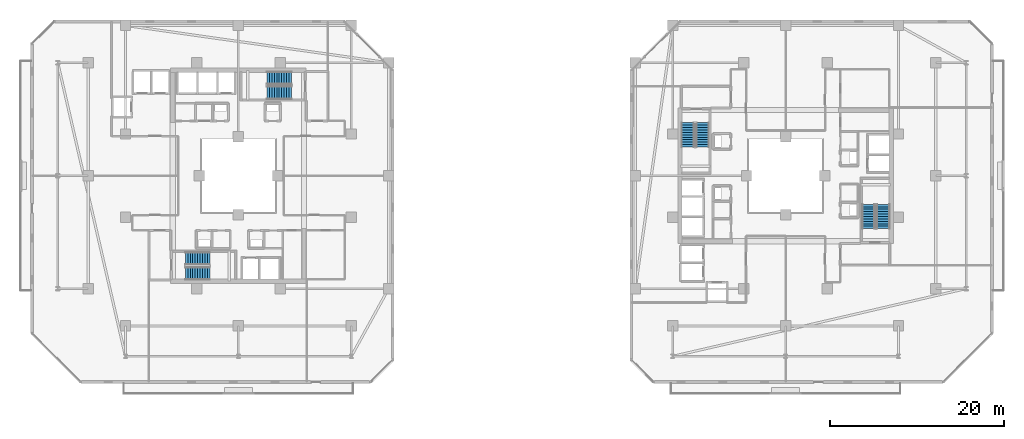
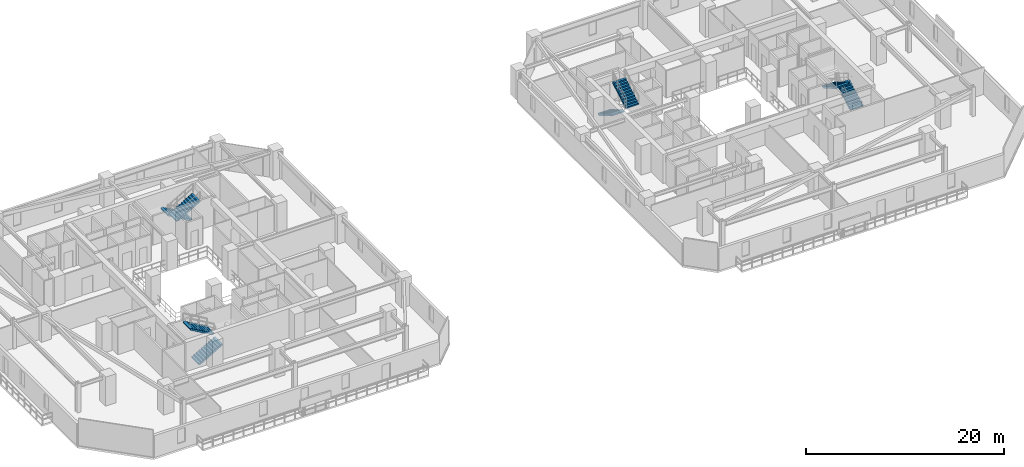
# One storey, part 24 of 31: 8 stair flights, 4 elements without a shape of their own.
"""IFC4 building model written with IfcOpenShell, lengths in metres."""

import ifcopenshell
import ifcopenshell.guid

model = None  # the IFC model being written
_history = None  # IfcOwnerHistory: only IFC2X3 demands one
_inside = {}  # id of a spatial element -> (the spatial element, [elements in it])
_under = {}  # id of a project, library or spatial element -> (it, [spatial elements below it])
_declared = {}  # id of a project -> (the project, [libraries it declares])
_typed = {}  # id of a type object -> (the type object, [elements of that type])
_made_of = {}  # id of a material, layer set ... -> (it, [elements and type objects made of it])


def new_model(schema):
    """Start an empty IFC model of exactly this schema.

    Asked for "IFC4X3", IfcOpenShell would pick the latest addendum, in which some entities
    have other attributes; the version numbers below select the first issue.
    IFC2X3 requires an IfcOwnerHistory on every rooted entity: one is made here for all.
    """
    global model, _history
    if schema == "IFC4X3":
        model = ifcopenshell.file(schema_version=(4, 3, 0, 0))
    else:
        model = ifcopenshell.file(schema=schema)
    _inside.clear()
    _under.clear()
    _declared.clear()
    _typed.clear()
    _made_of.clear()
    _history = None
    if model.schema == "IFC2X3":
        org = make("IfcOrganization", Name="unknown")
        user = make(
            "IfcPersonAndOrganization",
            ThePerson=make("IfcPerson", FamilyName="unknown"),
            TheOrganization=org,
        )
        app = make(
            "IfcApplication",
            ApplicationDeveloper=org,
            Version="unknown",
            ApplicationFullName="unknown",
            ApplicationIdentifier="unknown",
        )
        _history = make(
            "IfcOwnerHistory",
            OwningUser=user,
            OwningApplication=app,
            ChangeAction="ADDED",
            CreationDate=0,
        )
    return model


def make(cls, **values):
    """One entity of the class cls with the attributes given. An attribute that is None is left unset."""
    return model.create_entity(
        cls, **{name: value for name, value in values.items() if value is not None}
    )


def rooted(cls, **values):
    """An entity with a GlobalId (a new one), such as an element, a storey or a relation."""
    return make(cls, GlobalId=ifcopenshell.guid.new(), OwnerHistory=_history, **values)


def si_unit(unit_type, name, prefix=None):
    """IfcSIUnit, for example si_unit("LENGTHUNIT", "METRE", prefix="MILLI")."""
    return make("IfcSIUnit", UnitType=unit_type, Prefix=prefix, Name=name)


def assignment(units):
    """IfcUnitAssignment: the units of a project."""
    return None if units is None else make("IfcUnitAssignment", Units=units)


def point(xyz):
    """IfcCartesianPoint."""
    return None if xyz is None else make("IfcCartesianPoint", Coordinates=xyz)


def direction(xyz):
    """IfcDirection."""
    return None if xyz is None else make("IfcDirection", DirectionRatios=xyz)


def frame(location, z_axis=None, x_axis=None):
    """IfcAxis2Placement3D, a coordinate frame: its origin and axes. An axis left out is left unset."""
    return make(
        "IfcAxis2Placement3D",
        Location=point(location),
        Axis=direction(z_axis),
        RefDirection=direction(x_axis),
    )


def origin():
    """The frame at (0, 0, 0) with its axes left unset."""
    return frame((0.0, 0.0, 0.0))


def place(relative_to, where):
    """IfcLocalPlacement: puts the frame where relative to a parent placement (None: the world)."""
    return make(
        "IfcLocalPlacement", PlacementRelTo=relative_to, RelativePlacement=where
    )


def context(
    kind, dimensions, precision=None, world=None, true_north=None, identifier=None
):
    """IfcGeometricRepresentationContext, for example the 3D "Model" context."""
    return make(
        "IfcGeometricRepresentationContext",
        ContextIdentifier=identifier,
        ContextType=kind,
        CoordinateSpaceDimension=dimensions,
        Precision=precision,
        WorldCoordinateSystem=world,
        TrueNorth=true_north,
    )


def subcontext(parent, identifier, kind, view, scale=None):
    """IfcGeometricRepresentationSubContext, for example "Body" below "Model"."""
    return make(
        "IfcGeometricRepresentationSubContext",
        ContextIdentifier=identifier,
        ContextType=kind,
        ParentContext=parent,
        TargetScale=scale,
        TargetView=view,
    )


def project(units=None, contexts=None):
    """IfcProject with its units and contexts."""
    return rooted(
        "IfcProject",
        Name="project",
        RepresentationContexts=contexts,
        UnitsInContext=assignment(units),
    )


def spatial(cls, under=None, at=None, **own):
    """A site, building, storey or space (cls), placed at a placement, below another one or the project."""
    s = rooted(cls, ObjectPlacement=at, **own)
    if under is not None:
        _under.setdefault(under.id(), (under, []))[1].append(s)
    return s


def polyline(points):
    """IfcPolyline through the points."""
    return make("IfcPolyline", Points=[point(p) for p in points])


def outline(outer, holes=None, kind="AREA"):
    """IfcArbitraryClosedProfileDef: a profile drawn as a closed curve; with holes, ...WithVoids."""
    if holes is None:
        return make("IfcArbitraryClosedProfileDef", ProfileType=kind, OuterCurve=outer)
    return make(
        "IfcArbitraryProfileDefWithVoids",
        ProfileType=kind,
        OuterCurve=outer,
        InnerCurves=holes,
    )


def extrude(swept, where, along, depth):
    """IfcExtrudedAreaSolid: the profile swept, set in the frame where, extruded along a direction by depth."""
    return make(
        "IfcExtrudedAreaSolid",
        SweptArea=swept,
        Position=where,
        ExtrudedDirection=direction(along),
        Depth=depth,
    )


def shape(context_of_items, identifier, shape_type, items):
    """IfcShapeRepresentation: the items that make up one representation, for example the "Body"."""
    return make(
        "IfcShapeRepresentation",
        ContextOfItems=context_of_items,
        RepresentationIdentifier=identifier,
        RepresentationType=shape_type,
        Items=items,
    )


def material(Name=None, Category=None):
    """IfcMaterial."""
    return make("IfcMaterial", Name=Name, Category=Category)


def made_of(thing, what):
    """Note that an element or type object is made of a material, layer set ...; save() writes the relation."""
    if what is not None:
        _made_of.setdefault(what.id(), (what, []))[1].append(thing)
    return thing


def type_object(cls, material=None, **own):
    """A type object (cls), such as IfcWallType, which elements share."""
    return made_of(rooted(cls, **own), material)


def element(
    cls,
    number,
    at=None,
    inside=None,
    cuts=None,
    type_object=None,
    material=None,
    context=None,
    identifier="Body",
    shape_type=None,
    held_by="IfcProductDefinitionShape",
    body=None,
    shapes=None,
    **own,
):
    """One element of the class cls, such as IfcWall. Its Tag is "e" and its number.

    at: its placement. inside: the storey or other place that contains it. cuts: it is an
    opening in that element (IfcRelVoidsElement). A single representation is given by context,
    identifier, shape_type and body (its items); several are given by shapes. held_by: the class
    of the entity that holds the representations. save() writes the other relations.
    """
    e = rooted(cls, Tag="e%d" % number, ObjectPlacement=at, **own)
    if body is not None:
        shapes = [shape(context, identifier, shape_type, body)]
    if shapes is not None:
        e.Representation = make(held_by, Representations=shapes)
    if inside is not None:
        _inside.setdefault(inside.id(), (inside, []))[1].append(e)
    if cuts is not None:
        rooted(
            "IfcRelVoidsElement", RelatingBuildingElement=cuts, RelatedOpeningElement=e
        )
    if type_object is not None:
        _typed.setdefault(type_object.id(), (type_object, []))[1].append(e)
    return made_of(e, material)


def aggregate(whole, parts):
    """IfcRelAggregates: a whole, such as a stair, and the parts it consists of."""
    return rooted("IfcRelAggregates", RelatingObject=whole, RelatedObjects=parts)


def save(model, path):
    """Write the relations noted so far, then the file.

    IfcRelAggregates (storeys below a building ...), IfcRelContainedInSpatialStructure (elements
    in a storey), IfcRelDefinesByType, IfcRelAssociatesMaterial and IfcRelDeclares: one each for
    every whole, place, type object, material and project.
    """
    for whole, parts in _under.values():
        aggregate(whole, parts)
    for where, things in _inside.values():
        rooted(
            "IfcRelContainedInSpatialStructure",
            RelatedElements=things,
            RelatingStructure=where,
        )
    for kind, things in _typed.values():
        rooted("IfcRelDefinesByType", RelatedObjects=things, RelatingType=kind)
    for what, things in _made_of.values():
        rooted("IfcRelAssociatesMaterial", RelatedObjects=things, RelatingMaterial=what)
    for by, libraries in _declared.values():
        rooted("IfcRelDeclares", RelatingContext=by, RelatedDefinitions=libraries)
    model.write(path)


model = new_model("IFC4")

# Units and contexts
model_context = context("Model", 3, precision=1e-05, world=origin(), true_north=direction((0.0, 1.0)))
body_context = subcontext(model_context, "Body", "Model", "MODEL_VIEW")
ifc_project = project(units=[si_unit("LENGTHUNIT", "METRE"), si_unit("AREAUNIT", "SQUARE_METRE"), si_unit("VOLUMEUNIT", "CUBIC_METRE"), si_unit("PLANEANGLEUNIT", "RADIAN"), si_unit("MASSUNIT", "GRAM", prefix="KILO")], contexts=[model_context])

# Site, building, storey
site_placement = place(None, origin())
site = spatial("IfcSite", under=ifc_project, at=site_placement, CompositionType="ELEMENT")
building_placement = place(site_placement, origin())
building = spatial("IfcBuilding", under=site, at=building_placement, Name="Thornwick Lancets Civic Towers", CompositionType="ELEMENT")
storey_placement = place(building_placement, frame((0.0, 0.0, 126.89990234375)))
storey = spatial("IfcBuildingStorey", under=building, at=storey_placement, Name="L33", CompositionType="ELEMENT", Elevation=126.89990234375)

# Stair, stair flights
ifc_material = material(Name="Concrete C40/50", Category="concrete")
stair_type = type_object("IfcStairType", Name="STAIR_DL_3600", PredefinedType="HALF_TURN_STAIR", material=ifc_material)
stair_1_placement = place(storey_placement, origin())
stair_1 = element("IfcStair", 1, at=stair_1_placement, inside=storey, type_object=stair_type, Name="L33 Tower A South Exit Stair ST-A1", PredefinedType="HALF_TURN_STAIR")
stair_flight_type = type_object("IfcStairFlightType", Name="FLIGHT_3600", PredefinedType="STRAIGHT", material=ifc_material)
stair_flight_1_placement = place(storey_placement, frame((19.39990234375, 15.75, 0.0), z_axis=(0.0, 0.0, 1.0), x_axis=(1.0, 0.0, 0.0)))
stair_flight_1 = element("IfcStairFlight", 2, at=stair_flight_1_placement, type_object=stair_flight_type, Name="ST-A1 flight 1", NumberOfRisers=11, NumberOfTreads=10, PredefinedType="STRAIGHT", RiserHeight=0.163636364, TreadLength=0.28, context=body_context, shape_type="SweptSolid", body=[
    extrude(outline(polyline([(0.0, 0.0), (0.0, 0.16357421875), (0.280029296875, 0.16357421875), (0.280029296875, 0.327392578125), (0.56005859375, 0.327392578125), (0.56005859375, 0.490966796875), (0.840087890625, 0.490966796875), (0.840087890625, 0.654541015625), (1.1201171875, 0.654541015625), (1.1201171875, 0.818115234375), (1.39990234375, 0.818115234375), (1.39990234375, 0.98193359375), (1.679931640625, 0.98193359375), (1.679931640625, 1.1455078125), (1.9599609375, 1.1455078125), (1.9599609375, 1.30908203125), (2.239990234375, 1.30908203125), (2.239990234375, 1.47265625), (2.52001953125, 1.47265625), (2.52001953125, 1.636474609375), (2.800048828125, 1.636474609375), (2.800048828125, 1.800048828125), (2.800048828125, 1.462646484375), (0.297119140625, 0.0), (0.0, 0.0)])), frame((0.0, 0.75, 0.0), z_axis=(0.0, -1.0, 0.0), x_axis=(1.0, 0.0, 0.0)), (0.0, 0.0, 1.0), 1.5),
])
stair_flight_2_placement = place(storey_placement, frame((22.199951171875, 17.449951171875, 1.800048828125), z_axis=(0.0, 0.0, 1.0), x_axis=(-1.0, 0.0, 0.0)))
stair_flight_2 = element("IfcStairFlight", 3, at=stair_flight_2_placement, type_object=stair_flight_type, Name="ST-A1 flight 2", NumberOfRisers=11, NumberOfTreads=10, PredefinedType="STRAIGHT", RiserHeight=0.163636364, TreadLength=0.28, context=body_context, shape_type="SweptSolid", body=[
    extrude(outline(polyline([(0.0, 0.0), (0.0, 0.16357421875), (0.280029296875, 0.16357421875), (0.280029296875, 0.327392578125), (0.56005859375, 0.327392578125), (0.56005859375, 0.490966796875), (0.840087890625, 0.490966796875), (0.840087890625, 0.654541015625), (1.1201171875, 0.654541015625), (1.1201171875, 0.818115234375), (1.39990234375, 0.818115234375), (1.39990234375, 0.98193359375), (1.679931640625, 0.98193359375), (1.679931640625, 1.1455078125), (1.9599609375, 1.1455078125), (1.9599609375, 1.30908203125), (2.239990234375, 1.30908203125), (2.239990234375, 1.47265625), (2.52001953125, 1.47265625), (2.52001953125, 1.636474609375), (2.800048828125, 1.636474609375), (2.800048828125, 1.800048828125), (2.800048828125, 1.462646484375), (0.297119140625, 0.0), (0.0, 0.0)])), frame((0.0, 0.75, 0.0), z_axis=(0.0, -1.0, 0.0), x_axis=(1.0, 0.0, 0.0)), (0.0, 0.0, 1.0), 1.5),
])
aggregate(stair_1, [stair_flight_1, stair_flight_2])

stair_2_placement = place(storey_placement, origin())
stair_2 = element("IfcStair", 4, at=stair_2_placement, inside=storey, type_object=stair_type, Name="L33 Tower A North Exit Stair ST-A2", PredefinedType="HALF_TURN_STAIR")
stair_flight_3_placement = place(storey_placement, frame((31.60009765625, 38.25, 0.0), z_axis=(0.0, 0.0, 1.0), x_axis=(-1.0, 0.0, 0.0)))
stair_flight_3 = element("IfcStairFlight", 5, at=stair_flight_3_placement, type_object=stair_flight_type, Name="ST-A2 flight 1", NumberOfRisers=11, NumberOfTreads=10, PredefinedType="STRAIGHT", RiserHeight=0.163636364, TreadLength=0.28, context=body_context, shape_type="SweptSolid", body=[
    extrude(outline(polyline([(0.0, 0.0), (0.0, 0.16357421875), (0.280029296875, 0.16357421875), (0.280029296875, 0.327392578125), (0.56005859375, 0.327392578125), (0.56005859375, 0.490966796875), (0.840087890625, 0.490966796875), (0.840087890625, 0.654541015625), (1.1201171875, 0.654541015625), (1.1201171875, 0.818115234375), (1.39990234375, 0.818115234375), (1.39990234375, 0.98193359375), (1.679931640625, 0.98193359375), (1.679931640625, 1.1455078125), (1.9599609375, 1.1455078125), (1.9599609375, 1.30908203125), (2.239990234375, 1.30908203125), (2.239990234375, 1.47265625), (2.52001953125, 1.47265625), (2.52001953125, 1.636474609375), (2.800048828125, 1.636474609375), (2.800048828125, 1.800048828125), (2.800048828125, 1.462646484375), (0.297119140625, 0.0), (0.0, 0.0)])), frame((0.0, 0.75, 0.0), z_axis=(0.0, -1.0, 0.0), x_axis=(1.0, 0.0, 0.0)), (0.0, 0.0, 1.0), 1.5),
])
stair_flight_4_placement = place(storey_placement, frame((28.800048828125, 36.550048828125, 1.800048828125), z_axis=(0.0, 0.0, 1.0), x_axis=(1.0, 0.0, 0.0)))
stair_flight_4 = element("IfcStairFlight", 6, at=stair_flight_4_placement, type_object=stair_flight_type, Name="ST-A2 flight 2", NumberOfRisers=11, NumberOfTreads=10, PredefinedType="STRAIGHT", RiserHeight=0.163636364, TreadLength=0.28, context=body_context, shape_type="SweptSolid", body=[
    extrude(outline(polyline([(0.0, 0.0), (0.0, 0.16357421875), (0.280029296875, 0.16357421875), (0.280029296875, 0.327392578125), (0.56005859375, 0.327392578125), (0.56005859375, 0.490966796875), (0.840087890625, 0.490966796875), (0.840087890625, 0.654541015625), (1.1201171875, 0.654541015625), (1.1201171875, 0.818115234375), (1.39990234375, 0.818115234375), (1.39990234375, 0.98193359375), (1.679931640625, 0.98193359375), (1.679931640625, 1.1455078125), (1.9599609375, 1.1455078125), (1.9599609375, 1.30908203125), (2.239990234375, 1.30908203125), (2.239990234375, 1.47265625), (2.52001953125, 1.47265625), (2.52001953125, 1.636474609375), (2.800048828125, 1.636474609375), (2.800048828125, 1.800048828125), (2.800048828125, 1.462646484375), (0.297119140625, 0.0), (0.0, 0.0)])), frame((0.0, 0.75, 0.0), z_axis=(0.0, -1.0, 0.0), x_axis=(1.0, 0.0, 0.0)), (0.0, 0.0, 1.0), 1.5),
])
aggregate(stair_2, [stair_flight_3, stair_flight_4])

stair_3_placement = place(storey_placement, origin())
stair_3 = element("IfcStair", 7, at=stair_3_placement, inside=storey, type_object=stair_type, Name="L33 Tower B East Exit Stair ST-B1", PredefinedType="HALF_TURN_STAIR")
stair_flight_5_placement = place(storey_placement, frame((99.75, 20.89990234375, 0.0), z_axis=(0.0, 0.0, 1.0), x_axis=(0.0, 1.0, 0.0)))
stair_flight_5 = element("IfcStairFlight", 8, at=stair_flight_5_placement, type_object=stair_flight_type, Name="ST-B1 flight 1", NumberOfRisers=11, NumberOfTreads=10, PredefinedType="STRAIGHT", RiserHeight=0.163636364, TreadLength=0.28, context=body_context, shape_type="SweptSolid", body=[
    extrude(outline(polyline([(0.0, 0.0), (0.0, 0.16357421875), (0.280029296875, 0.16357421875), (0.280029296875, 0.327392578125), (0.56005859375, 0.327392578125), (0.56005859375, 0.490966796875), (0.840087890625, 0.490966796875), (0.840087890625, 0.654541015625), (1.1201171875, 0.654541015625), (1.1201171875, 0.818115234375), (1.39990234375, 0.818115234375), (1.39990234375, 0.98193359375), (1.679931640625, 0.98193359375), (1.679931640625, 1.1455078125), (1.9599609375, 1.1455078125), (1.9599609375, 1.30908203125), (2.239990234375, 1.30908203125), (2.239990234375, 1.47265625), (2.52001953125, 1.47265625), (2.52001953125, 1.636474609375), (2.800048828125, 1.636474609375), (2.800048828125, 1.800048828125), (2.800048828125, 1.462646484375), (0.297119140625, 0.0), (0.0, 0.0)])), frame((0.0, 0.75, 0.0), z_axis=(0.0, -1.0, 0.0), x_axis=(1.0, 0.0, 0.0)), (0.0, 0.0, 1.0), 1.5),
])
stair_flight_6_placement = place(storey_placement, frame((98.050048828125, 23.699951171875, 1.800048828125), z_axis=(0.0, 0.0, 1.0), x_axis=(0.0, -1.0, 0.0)))
stair_flight_6 = element("IfcStairFlight", 9, at=stair_flight_6_placement, type_object=stair_flight_type, Name="ST-B1 flight 2", NumberOfRisers=11, NumberOfTreads=10, PredefinedType="STRAIGHT", RiserHeight=0.163636364, TreadLength=0.28, context=body_context, shape_type="SweptSolid", body=[
    extrude(outline(polyline([(0.0, 0.0), (0.0, 0.16357421875), (0.280029296875, 0.16357421875), (0.280029296875, 0.327392578125), (0.56005859375, 0.327392578125), (0.56005859375, 0.490966796875), (0.840087890625, 0.490966796875), (0.840087890625, 0.654541015625), (1.1201171875, 0.654541015625), (1.1201171875, 0.818115234375), (1.39990234375, 0.818115234375), (1.39990234375, 0.98193359375), (1.679931640625, 0.98193359375), (1.679931640625, 1.1455078125), (1.9599609375, 1.1455078125), (1.9599609375, 1.30908203125), (2.239990234375, 1.30908203125), (2.239990234375, 1.47265625), (2.52001953125, 1.47265625), (2.52001953125, 1.636474609375), (2.800048828125, 1.636474609375), (2.800048828125, 1.800048828125), (2.800048828125, 1.462646484375), (0.297119140625, 0.0), (0.0, 0.0)])), frame((0.0, 0.75, 0.0), z_axis=(0.0, -1.0, 0.0), x_axis=(1.0, 0.0, 0.0)), (0.0, 0.0, 1.0), 1.5),
])
aggregate(stair_3, [stair_flight_5, stair_flight_6])

stair_4_placement = place(storey_placement, origin())
stair_4 = element("IfcStair", 10, at=stair_4_placement, inside=storey, type_object=stair_type, Name="L33 Tower B West Exit Stair ST-B2", PredefinedType="HALF_TURN_STAIR")
stair_flight_7_placement = place(storey_placement, frame((77.25, 33.10009765625, 0.0), z_axis=(0.0, 0.0, 1.0), x_axis=(0.0, -1.0, 0.0)))
stair_flight_7 = element("IfcStairFlight", 11, at=stair_flight_7_placement, type_object=stair_flight_type, Name="ST-B2 flight 1", NumberOfRisers=11, NumberOfTreads=10, PredefinedType="STRAIGHT", RiserHeight=0.163636364, TreadLength=0.28, context=body_context, shape_type="SweptSolid", body=[
    extrude(outline(polyline([(0.0, 0.0), (0.0, 0.16357421875), (0.280029296875, 0.16357421875), (0.280029296875, 0.327392578125), (0.56005859375, 0.327392578125), (0.56005859375, 0.490966796875), (0.840087890625, 0.490966796875), (0.840087890625, 0.654541015625), (1.1201171875, 0.654541015625), (1.1201171875, 0.818115234375), (1.39990234375, 0.818115234375), (1.39990234375, 0.98193359375), (1.679931640625, 0.98193359375), (1.679931640625, 1.1455078125), (1.9599609375, 1.1455078125), (1.9599609375, 1.30908203125), (2.239990234375, 1.30908203125), (2.239990234375, 1.47265625), (2.52001953125, 1.47265625), (2.52001953125, 1.636474609375), (2.800048828125, 1.636474609375), (2.800048828125, 1.800048828125), (2.800048828125, 1.462646484375), (0.297119140625, 0.0), (0.0, 0.0)])), frame((0.0, 0.75, 0.0), z_axis=(0.0, -1.0, 0.0), x_axis=(1.0, 0.0, 0.0)), (0.0, 0.0, 1.0), 1.5),
])
stair_flight_8_placement = place(storey_placement, frame((78.949951171875, 30.300048828125, 1.800048828125), z_axis=(0.0, 0.0, 1.0), x_axis=(0.0, 1.0, 0.0)))
stair_flight_8 = element("IfcStairFlight", 12, at=stair_flight_8_placement, type_object=stair_flight_type, Name="ST-B2 flight 2", NumberOfRisers=11, NumberOfTreads=10, PredefinedType="STRAIGHT", RiserHeight=0.163636364, TreadLength=0.28, context=body_context, shape_type="SweptSolid", body=[
    extrude(outline(polyline([(0.0, 0.0), (0.0, 0.16357421875), (0.280029296875, 0.16357421875), (0.280029296875, 0.327392578125), (0.56005859375, 0.327392578125), (0.56005859375, 0.490966796875), (0.840087890625, 0.490966796875), (0.840087890625, 0.654541015625), (1.1201171875, 0.654541015625), (1.1201171875, 0.818115234375), (1.39990234375, 0.818115234375), (1.39990234375, 0.98193359375), (1.679931640625, 0.98193359375), (1.679931640625, 1.1455078125), (1.9599609375, 1.1455078125), (1.9599609375, 1.30908203125), (2.239990234375, 1.30908203125), (2.239990234375, 1.47265625), (2.52001953125, 1.47265625), (2.52001953125, 1.636474609375), (2.800048828125, 1.636474609375), (2.800048828125, 1.800048828125), (2.800048828125, 1.462646484375), (0.297119140625, 0.0), (0.0, 0.0)])), frame((0.0, 0.75, 0.0), z_axis=(0.0, -1.0, 0.0), x_axis=(1.0, 0.0, 0.0)), (0.0, 0.0, 1.0), 1.5),
])
aggregate(stair_4, [stair_flight_7, stair_flight_8])

save(model, "model.ifc")
